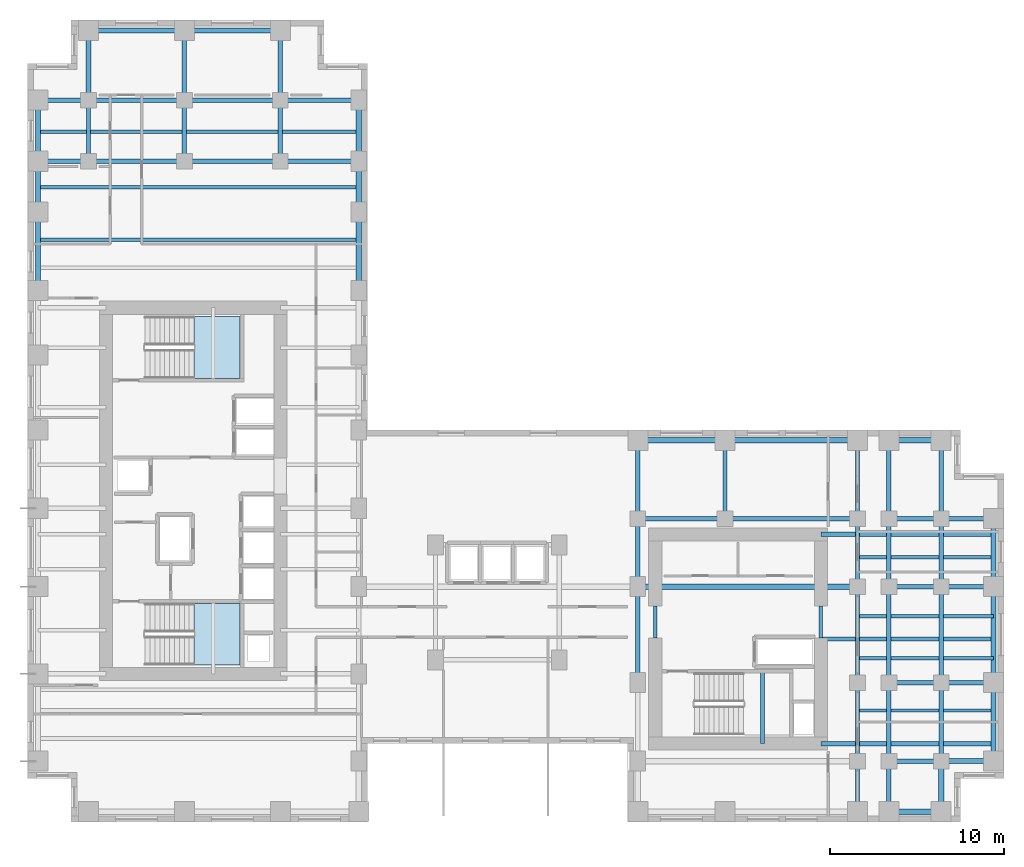
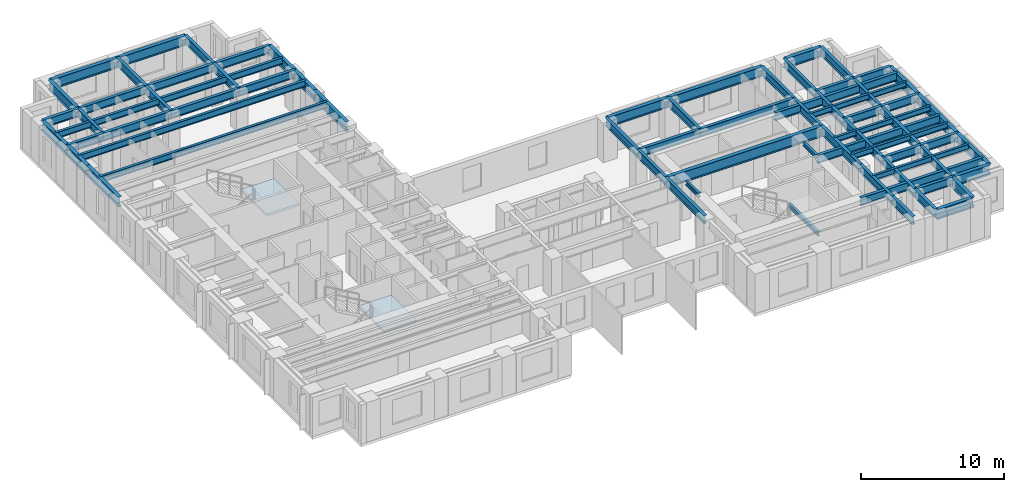
# One storey, part 2 of 11: 72 beams, 2 slabs, 2 elements without a shape of their own.
"""IFC4 building model written with IfcOpenShell, lengths in metres."""

from ifc_helpers import new_model, si_unit, direction, frame, origin, origin_2d, place, context, subcontext, project, spatial, polyline, i_section, outline, extrude, source, transform, mapped, material, layer, layer_set, material_profile, profile_set, type_object, element, aggregate, save


model = new_model("IFC4")

# Units and contexts
model_context = context("Model", 3, precision=1e-05, world=origin(), true_north=direction((0.0, 1.0)))
body_context = subcontext(model_context, "Body", "Model", "MODEL_VIEW")
ifc_project = project(units=[si_unit("LENGTHUNIT", "METRE"), si_unit("AREAUNIT", "SQUARE_METRE"), si_unit("VOLUMEUNIT", "CUBIC_METRE"), si_unit("PLANEANGLEUNIT", "RADIAN"), si_unit("MASSUNIT", "GRAM", prefix="KILO")], contexts=[model_context])

# Site, building, storey
site_placement = place(None, origin())
site = spatial("IfcSite", under=ifc_project, at=site_placement, CompositionType="ELEMENT")
building_placement = place(site_placement, origin())
building = spatial("IfcBuilding", under=site, at=building_placement, Name="Kharzan Plaza Tower", CompositionType="ELEMENT")
storey_placement = place(building_placement, frame((0.0, 0.0, 84.60009765625)))
storey = spatial("IfcBuildingStorey", under=building, at=storey_placement, Name="L22", CompositionType="ELEMENT", Elevation=84.60009765625)

# Beams
ifc_material_1 = material(Name="Steel S355", Category="steel")
ifc_material_profile_1 = material_profile(ifc_material_1, i_section(OverallWidth=0.205078125, OverallDepth=0.35400390625, WebThickness=0.009521484375, FlangeThickness=0.016845703125, at=origin_2d()), Name="W360x79")
ifc_profile_set_1 = profile_set([ifc_material_profile_1], Name="Steel S355")
beam_type_1 = type_object("IfcBeamType", Name="BM-LNT360", PredefinedType="LINTEL", material=ifc_profile_set_1)
shared_shape_1 = source(origin(), body_context, "Body", "SweptSolid", [
    extrude(i_section(OverallWidth=0.205078125, OverallDepth=0.35400390625, WebThickness=0.009521484375, FlangeThickness=0.016845703125, at=origin_2d()), origin(), (0.0, 0.0, 1.0), 1.849853515625),
])
for number, where, z_axis, x_axis, name in (
    (1, (45.5, 10.550048828125, 3.202880859375), (0.0, 1.0, 0.0), (-1.0, 0.0, 0.0), "L22 CORE-B coupling lintel LN1-WE"),
    (2, (36.0, 10.550048828125, 3.202880859375), (0.0, 1.0, 0.0), (-1.0, 0.0, 0.0), "L22 CORE-B coupling lintel LN1-WW"),
):
    element("IfcBeam", number, at=place(storey_placement, frame(where, z_axis=z_axis, x_axis=x_axis)), inside=storey, type_object=beam_type_1, Name=name, PredefinedType="LINTEL", context=body_context, shape_type="MappedRepresentation", body=[
        mapped(shared_shape_1, transform((0.0, 0.0, 0.0), x_axis=(1.0, 0.0, 0.0), y_axis=(0.0, 1.0, 0.0), z_axis=(0.0, 0.0, 1.0))),
    ])
shared_shape_2 = source(origin(), body_context, "Body", "SweptSolid", [
    extrude(i_section(OverallWidth=0.205078125, OverallDepth=0.35400390625, WebThickness=0.009521484375, FlangeThickness=0.016845703125, at=origin_2d()), origin(), (0.0, 0.0, 1.0), 4.155029296875),
])
beam_1_placement = place(storey_placement, frame((42.14990234375, 4.5, 1.4228515625), z_axis=(0.0, 1.0, 0.0), x_axis=(-1.0, 0.0, 0.0)))
element("IfcBeam", 3, at=beam_1_placement, inside=storey, type_object=beam_type_1, Name="L22 Stair ST-3 Half-Landing Beam", PredefinedType="LINTEL", context=body_context, shape_type="MappedRepresentation", body=[
    mapped(shared_shape_2, transform((0.0, 0.0, 0.0), x_axis=(1.0, 0.0, 0.0), y_axis=(0.0, 1.0, 0.0), z_axis=(0.0, 0.0, 1.0))),
])
ifc_material_profile_2 = material_profile(ifc_material_1, i_section(OverallWidth=0.304931640625, OverallDepth=0.9189453125, WebThickness=0.017333984375, FlangeThickness=0.02783203125, at=origin_2d()), Name="W920x253")
ifc_profile_set_2 = profile_set([ifc_material_profile_2], Name="Steel S355")
beam_type_2 = type_object("IfcBeamType", Name="BM-FG920B", PredefinedType="BEAM", material=ifc_profile_set_2)
shared_shape_3 = source(origin(), body_context, "Body", "SweptSolid", [
    extrude(i_section(OverallWidth=0.304931640625, OverallDepth=0.9189453125, WebThickness=0.017333984375, FlangeThickness=0.02783203125, at=origin_2d()), origin(), (0.0, 0.0, 1.0), 12.60009765625),
])
beam_2_placement = place(storey_placement, frame((35.0, 13.5, 2.92041015625), z_axis=(1.0, 0.0, 0.0), x_axis=(0.0, 1.0, 0.0)))
element("IfcBeam", 4, at=beam_2_placement, inside=storey, type_object=beam_type_2, Name="L22 Primary Floor Girder", PredefinedType="BEAM", context=body_context, shape_type="MappedRepresentation", body=[
    mapped(shared_shape_3, transform((0.0, 0.0, 0.0), x_axis=(1.0, 0.0, 0.0), y_axis=(0.0, 1.0, 0.0), z_axis=(0.0, 0.0, 1.0))),
])
ifc_material_profile_3 = material_profile(ifc_material_1, i_section(OverallWidth=0.2099609375, OverallDepth=0.537109375, WebThickness=0.010986328125, FlangeThickness=0.017333984375, at=origin_2d()), Name="W530x101")
ifc_profile_set_3 = profile_set([ifc_material_profile_3], Name="Steel S355")
beam_type_3 = type_object("IfcBeamType", Name="BM-JST530B", PredefinedType="JOIST", material=ifc_profile_set_3)
shared_shape_4 = source(origin(), body_context, "Body", "SweptSolid", [
    extrude(i_section(OverallWidth=0.2099609375, OverallDepth=0.537109375, WebThickness=0.010986328125, FlangeThickness=0.017333984375, at=origin_2d()), origin(), (0.0, 0.0, 1.0), 18.39990234375),
])
for number, where, z_axis, x_axis, name in (
    (5, (0.60009765625, 33.39990234375, 3.111328125), (1.0, 0.0, 0.0), (0.0, 1.0, 0.0), "L22 Wing A Composite Joist 05"),
    (6, (0.60009765625, 36.39990234375, 3.111328125), (1.0, 0.0, 0.0), (0.0, 1.0, 0.0), "L22 Wing A Composite Joist 06"),
    (7, (0.60009765625, 39.60009765625, 3.111328125), (1.0, 0.0, 0.0), (0.0, 1.0, 0.0), "L22 Wing A Composite Joist 07"),
):
    element("IfcBeam", number, at=place(storey_placement, frame(where, z_axis=z_axis, x_axis=x_axis)), inside=storey, type_object=beam_type_3, Name=name, PredefinedType="JOIST", context=body_context, shape_type="MappedRepresentation", body=[
        mapped(shared_shape_4, transform((0.0, 0.0, 0.0), x_axis=(1.0, 0.0, 0.0), y_axis=(0.0, 1.0, 0.0), z_axis=(0.0, 0.0, 1.0))),
    ])
ifc_material_profile_4 = material_profile(ifc_material_1, i_section(OverallWidth=0.25390625, OverallDepth=0.68798828125, WebThickness=0.01318359375, FlangeThickness=0.02099609375, at=origin_2d()), Name="W690x152")
ifc_profile_set_4 = profile_set([ifc_material_profile_4], Name="Steel S355")
beam_type_4 = type_object("IfcBeamType", Name="BM-FG690B", PredefinedType="BEAM", material=ifc_profile_set_4)
shared_shape_5 = source(origin(), body_context, "Body", "SweptSolid", [
    extrude(i_section(OverallWidth=0.25390625, OverallDepth=0.68798828125, WebThickness=0.01318359375, FlangeThickness=0.02099609375, at=origin_2d()), origin(), (0.0, 0.0, 1.0), 4.5),
])
for number, where, z_axis, x_axis, name in (
    (8, (35.0, 17.39990234375, 3.035888671875), (0.0, 1.0, 0.0), (-1.0, 0.0, 0.0), "L22 Interior Frame Girder"),
    (9, (40.0, 17.39990234375, 3.035888671875), (0.0, 1.0, 0.0), (-1.0, 0.0, 0.0), "L22 Interior Frame Girder"),
    (10, (47.60009765625, 3.5, 3.035888671875), (0.0, 1.0, 0.0), (-1.0, 0.0, 0.0), "L22 Interior Frame Girder"),
    (11, (47.60009765625, 17.39990234375, 3.035888671875), (0.0, 1.0, 0.0), (-1.0, 0.0, 0.0), "L22 Interior Frame Girder"),
    (12, (49.39990234375, 3.5, 3.035888671875), (0.0, 1.0, 0.0), (-1.0, 0.0, 0.0), "L22 Interior Frame Girder"),
    (13, (49.39990234375, 17.39990234375, 3.035888671875), (0.0, 1.0, 0.0), (-1.0, 0.0, 0.0), "L22 Interior Frame Girder"),
    (14, (52.39990234375, 3.5, 3.035888671875), (0.0, 1.0, 0.0), (-1.0, 0.0, 0.0), "L22 Interior Frame Girder"),
    (15, (52.39990234375, 17.39990234375, 3.035888671875), (0.0, 1.0, 0.0), (-1.0, 0.0, 0.0), "L22 Interior Frame Girder"),
    (16, (14.5, 37.89990234375, 3.035888671875), (1.0, 0.0, 0.0), (0.0, 1.0, 0.0), "L22 Primary Floor Girder"),
    (17, (14.5, 41.39990234375, 3.035888671875), (1.0, 0.0, 0.0), (0.0, 1.0, 0.0), "L22 Primary Floor Girder"),
):
    element("IfcBeam", number, at=place(storey_placement, frame(where, z_axis=z_axis, x_axis=x_axis)), inside=storey, type_object=beam_type_4, Name=name, PredefinedType="BEAM", context=body_context, shape_type="MappedRepresentation", body=[
        mapped(shared_shape_5, transform((0.0, 0.0, 0.0), x_axis=(1.0, 0.0, 0.0), y_axis=(0.0, 1.0, 0.0), z_axis=(0.0, 0.0, 1.0))),
    ])
shared_shape_6 = source(origin(), body_context, "Body", "SweptSolid", [
    extrude(i_section(OverallWidth=0.25390625, OverallDepth=0.68798828125, WebThickness=0.01318359375, FlangeThickness=0.02099609375, at=origin_2d()), origin(), (0.0, 0.0, 1.0), 3.89990234375),
])
for number, where, z_axis, x_axis, name in (
    (18, (35.0, 13.5, 3.035888671875), (0.0, 1.0, 0.0), (-1.0, 0.0, 0.0), "L22 Interior Frame Girder"),
    (19, (47.60009765625, 13.5, 3.035888671875), (0.0, 1.0, 0.0), (-1.0, 0.0, 0.0), "L22 Interior Frame Girder"),
    (20, (49.39990234375, 13.5, 3.035888671875), (0.0, 1.0, 0.0), (-1.0, 0.0, 0.0), "L22 Interior Frame Girder"),
    (21, (52.39990234375, 13.5, 3.035888671875), (0.0, 1.0, 0.0), (-1.0, 0.0, 0.0), "L22 Interior Frame Girder"),
):
    element("IfcBeam", number, at=place(storey_placement, frame(where, z_axis=z_axis, x_axis=x_axis)), inside=storey, type_object=beam_type_4, Name=name, PredefinedType="BEAM", context=body_context, shape_type="MappedRepresentation", body=[
        mapped(shared_shape_6, transform((0.0, 0.0, 0.0), x_axis=(1.0, 0.0, 0.0), y_axis=(0.0, 1.0, 0.0), z_axis=(0.0, 0.0, 1.0))),
    ])
shared_shape_7 = source(origin(), body_context, "Body", "SweptSolid", [
    extrude(i_section(OverallWidth=0.25390625, OverallDepth=0.68798828125, WebThickness=0.01318359375, FlangeThickness=0.02099609375, at=origin_2d()), origin(), (0.0, 0.0, 1.0), 9.89990234375),
])
for number, where, z_axis, x_axis, name in (
    (22, (45.5, 4.5, 3.035888671875), (1.0, 0.0, 0.0), (0.0, 1.0, 0.0), "L22 Core-B East Floor Girder 1"),
    (23, (45.5, 10.5, 3.035888671875), (1.0, 0.0, 0.0), (0.0, 1.0, 0.0), "L22 Core-B East Floor Girder 2"),
    (24, (45.5, 16.5, 3.035888671875), (1.0, 0.0, 0.0), (0.0, 1.0, 0.0), "L22 Core-B East Floor Girder 3"),
):
    element("IfcBeam", number, at=place(storey_placement, frame(where, z_axis=z_axis, x_axis=x_axis)), inside=storey, type_object=beam_type_4, Name=name, PredefinedType="BEAM", context=body_context, shape_type="MappedRepresentation", body=[
        mapped(shared_shape_7, transform((0.0, 0.0, 0.0), x_axis=(1.0, 0.0, 0.0), y_axis=(0.0, 1.0, 0.0), z_axis=(0.0, 0.0, 1.0))),
    ])
shared_shape_8 = source(origin(), body_context, "Body", "SweptSolid", [
    extrude(i_section(OverallWidth=0.25390625, OverallDepth=0.68798828125, WebThickness=0.01318359375, FlangeThickness=0.02099609375, at=origin_2d()), origin(), (0.0, 0.0, 1.0), 3.5),
])
for number, where, z_axis, x_axis, name in (
    (25, (3.5, 37.89990234375, 3.035888671875), (0.0, 1.0, 0.0), (-1.0, 0.0, 0.0), "L22 Interior Frame Girder"),
    (26, (9.0, 37.89990234375, 3.035888671875), (0.0, 1.0, 0.0), (-1.0, 0.0, 0.0), "L22 Interior Frame Girder"),
    (27, (14.5, 37.89990234375, 3.035888671875), (0.0, 1.0, 0.0), (-1.0, 0.0, 0.0), "L22 Interior Frame Girder"),
):
    element("IfcBeam", number, at=place(storey_placement, frame(where, z_axis=z_axis, x_axis=x_axis)), inside=storey, type_object=beam_type_4, Name=name, PredefinedType="BEAM", context=body_context, shape_type="MappedRepresentation", body=[
        mapped(shared_shape_8, transform((0.0, 0.0, 0.0), x_axis=(1.0, 0.0, 0.0), y_axis=(0.0, 1.0, 0.0), z_axis=(0.0, 0.0, 1.0))),
    ])
shared_shape_9 = source(origin(), body_context, "Body", "SweptSolid", [
    extrude(i_section(OverallWidth=0.25390625, OverallDepth=0.68798828125, WebThickness=0.01318359375, FlangeThickness=0.02099609375, at=origin_2d()), origin(), (0.0, 0.0, 1.0), 4.0),
])
for number, where, z_axis, x_axis, name in (
    (28, (9.0, 41.39990234375, 3.035888671875), (0.0, 1.0, 0.0), (-1.0, 0.0, 0.0), "L22 Interior Frame Girder"),
    (29, (14.5, 41.39990234375, 3.035888671875), (0.0, 1.0, 0.0), (-1.0, 0.0, 0.0), "L22 Interior Frame Girder"),
):
    element("IfcBeam", number, at=place(storey_placement, frame(where, z_axis=z_axis, x_axis=x_axis)), inside=storey, type_object=beam_type_4, Name=name, PredefinedType="BEAM", context=body_context, shape_type="MappedRepresentation", body=[
        mapped(shared_shape_9, transform((0.0, 0.0, 0.0), x_axis=(1.0, 0.0, 0.0), y_axis=(0.0, 1.0, 0.0), z_axis=(0.0, 0.0, 1.0))),
    ])
shared_shape_10 = source(origin(), body_context, "Body", "SweptSolid", [
    extrude(i_section(OverallWidth=0.25390625, OverallDepth=0.68798828125, WebThickness=0.01318359375, FlangeThickness=0.02099609375, at=origin_2d()), origin(), (0.0, 0.0, 1.0), 5.0),
])
beam_3_placement = place(storey_placement, frame((35.0, 17.39990234375, 3.035888671875), z_axis=(1.0, 0.0, 0.0), x_axis=(0.0, 1.0, 0.0)))
element("IfcBeam", 30, at=beam_3_placement, inside=storey, type_object=beam_type_4, Name="L22 Primary Floor Girder", PredefinedType="BEAM", context=body_context, shape_type="MappedRepresentation", body=[
    mapped(shared_shape_10, transform((0.0, 0.0, 0.0), x_axis=(1.0, 0.0, 0.0), y_axis=(0.0, 1.0, 0.0), z_axis=(0.0, 0.0, 1.0))),
])
shared_shape_11 = source(origin(), body_context, "Body", "SweptSolid", [
    extrude(i_section(OverallWidth=0.25390625, OverallDepth=0.68798828125, WebThickness=0.01318359375, FlangeThickness=0.02099609375, at=origin_2d()), origin(), (0.0, 0.0, 1.0), 5.5),
])
for number, where, z_axis, x_axis, name in (
    (31, (35.0, 8.0, 3.035888671875), (0.0, 1.0, 0.0), (-1.0, 0.0, 0.0), "L22 Interior Frame Girder"),
    (32, (47.60009765625, 8.0, 3.035888671875), (0.0, 1.0, 0.0), (-1.0, 0.0, 0.0), "L22 Interior Frame Girder"),
    (33, (49.39990234375, 8.0, 3.035888671875), (0.0, 1.0, 0.0), (-1.0, 0.0, 0.0), "L22 Interior Frame Girder"),
    (34, (52.39990234375, 8.0, 3.035888671875), (0.0, 1.0, 0.0), (-1.0, 0.0, 0.0), "L22 Interior Frame Girder"),
    (35, (3.5, 37.89990234375, 3.035888671875), (1.0, 0.0, 0.0), (0.0, 1.0, 0.0), "L22 Primary Floor Girder"),
    (36, (9.0, 37.89990234375, 3.035888671875), (1.0, 0.0, 0.0), (0.0, 1.0, 0.0), "L22 Primary Floor Girder"),
    (37, (3.5, 41.39990234375, 3.035888671875), (1.0, 0.0, 0.0), (0.0, 1.0, 0.0), "L22 Primary Floor Girder"),
    (38, (9.0, 41.39990234375, 3.035888671875), (1.0, 0.0, 0.0), (0.0, 1.0, 0.0), "L22 Primary Floor Girder"),
):
    element("IfcBeam", number, at=place(storey_placement, frame(where, z_axis=z_axis, x_axis=x_axis)), inside=storey, type_object=beam_type_4, Name=name, PredefinedType="BEAM", context=body_context, shape_type="MappedRepresentation", body=[
        mapped(shared_shape_11, transform((0.0, 0.0, 0.0), x_axis=(1.0, 0.0, 0.0), y_axis=(0.0, 1.0, 0.0), z_axis=(0.0, 0.0, 1.0))),
    ])
shared_shape_12 = source(origin(), body_context, "Body", "SweptSolid", [
    extrude(i_section(OverallWidth=0.25390625, OverallDepth=0.68798828125, WebThickness=0.01318359375, FlangeThickness=0.02099609375, at=origin_2d()), origin(), (0.0, 0.0, 1.0), 2.89990234375),
])
for number, where, z_axis, x_axis, name in (
    (39, (47.60009765625, 0.60009765625, 3.035888671875), (0.0, 1.0, 0.0), (-1.0, 0.0, 0.0), "L22 Interior Frame Girder"),
    (40, (49.39990234375, 0.60009765625, 3.035888671875), (0.0, 1.0, 0.0), (-1.0, 0.0, 0.0), "L22 Interior Frame Girder"),
    (41, (0.60009765625, 37.89990234375, 3.035888671875), (1.0, 0.0, 0.0), (0.0, 1.0, 0.0), "L22 Primary Floor Girder"),
    (42, (0.60009765625, 41.39990234375, 3.035888671875), (1.0, 0.0, 0.0), (0.0, 1.0, 0.0), "L22 Primary Floor Girder"),
):
    element("IfcBeam", number, at=place(storey_placement, frame(where, z_axis=z_axis, x_axis=x_axis)), inside=storey, type_object=beam_type_4, Name=name, PredefinedType="BEAM", context=body_context, shape_type="MappedRepresentation", body=[
        mapped(shared_shape_12, transform((0.0, 0.0, 0.0), x_axis=(1.0, 0.0, 0.0), y_axis=(0.0, 1.0, 0.0), z_axis=(0.0, 0.0, 1.0))),
    ])
shared_shape_13 = source(origin(), body_context, "Body", "SweptSolid", [
    extrude(i_section(OverallWidth=0.25390625, OverallDepth=0.68798828125, WebThickness=0.01318359375, FlangeThickness=0.02099609375, at=origin_2d()), origin(), (0.0, 0.0, 1.0), 3.0),
])
for number, where, z_axis, x_axis, name in (
    (43, (49.39990234375, 3.5, 3.035888671875), (1.0, 0.0, 0.0), (0.0, 1.0, 0.0), "L22 Primary Floor Girder"),
    (44, (49.39990234375, 8.0, 3.035888671875), (1.0, 0.0, 0.0), (0.0, 1.0, 0.0), "L22 Primary Floor Girder"),
    (45, (52.39990234375, 8.0, 3.035888671875), (1.0, 0.0, 0.0), (0.0, 1.0, 0.0), "L22 Primary Floor Girder"),
    (46, (49.39990234375, 13.5, 3.035888671875), (1.0, 0.0, 0.0), (0.0, 1.0, 0.0), "L22 Primary Floor Girder"),
    (47, (52.39990234375, 13.5, 3.035888671875), (1.0, 0.0, 0.0), (0.0, 1.0, 0.0), "L22 Primary Floor Girder"),
    (48, (49.39990234375, 17.39990234375, 3.035888671875), (1.0, 0.0, 0.0), (0.0, 1.0, 0.0), "L22 Primary Floor Girder"),
    (49, (52.39990234375, 17.39990234375, 3.035888671875), (1.0, 0.0, 0.0), (0.0, 1.0, 0.0), "L22 Primary Floor Girder"),
):
    element("IfcBeam", number, at=place(storey_placement, frame(where, z_axis=z_axis, x_axis=x_axis)), inside=storey, type_object=beam_type_4, Name=name, PredefinedType="BEAM", context=body_context, shape_type="MappedRepresentation", body=[
        mapped(shared_shape_13, transform((0.0, 0.0, 0.0), x_axis=(1.0, 0.0, 0.0), y_axis=(0.0, 1.0, 0.0), z_axis=(0.0, 0.0, 1.0))),
    ])
shared_shape_14 = source(origin(), body_context, "Body", "SweptSolid", [
    extrude(i_section(OverallWidth=0.25390625, OverallDepth=0.68798828125, WebThickness=0.01318359375, FlangeThickness=0.02099609375, at=origin_2d()), origin(), (0.0, 0.0, 1.0), 7.60009765625),
])
beam_4_placement = place(storey_placement, frame((40.0, 17.39990234375, 3.035888671875), z_axis=(1.0, 0.0, 0.0), x_axis=(0.0, 1.0, 0.0)))
element("IfcBeam", 50, at=beam_4_placement, inside=storey, type_object=beam_type_4, Name="L22 Primary Floor Girder", PredefinedType="BEAM", context=body_context, shape_type="MappedRepresentation", body=[
    mapped(shared_shape_14, transform((0.0, 0.0, 0.0), x_axis=(1.0, 0.0, 0.0), y_axis=(0.0, 1.0, 0.0), z_axis=(0.0, 0.0, 1.0))),
])
ifc_material_profile_5 = material_profile(ifc_material_1, i_section(OverallWidth=0.194091796875, OverallDepth=0.468994140625, WebThickness=0.011474609375, FlangeThickness=0.0205078125, at=origin_2d()), Name="W460x106")
ifc_profile_set_5 = profile_set([ifc_material_profile_5], Name="Steel S355")
beam_type_5 = type_object("IfcBeamType", Name="BM-JST460", PredefinedType="JOIST", material=ifc_profile_set_5)
shared_shape_15 = source(origin(), body_context, "Body", "SweptSolid", [
    extrude(i_section(OverallWidth=0.194091796875, OverallDepth=0.468994140625, WebThickness=0.011474609375, FlangeThickness=0.0205078125, at=origin_2d()), origin(), (0.0, 0.0, 1.0), 7.7998046875),
])
for number, where, z_axis, x_axis, name in (
    (51, (47.60009765625, 6.39990234375, 3.1455078125), (1.0, 0.0, 0.0), (0.0, 1.0, 0.0), "L22 Wing B Composite Joist 02"),
    (52, (47.60009765625, 9.39990234375, 3.1455078125), (1.0, 0.0, 0.0), (0.0, 1.0, 0.0), "L22 Wing B Composite Joist 03"),
    (53, (47.60009765625, 11.800048828125, 3.1455078125), (1.0, 0.0, 0.0), (0.0, 1.0, 0.0), "L22 Wing B Composite Joist 04"),
    (54, (47.60009765625, 15.199951171875, 3.1455078125), (1.0, 0.0, 0.0), (0.0, 1.0, 0.0), "L22 Wing B Composite Joist 05"),
):
    element("IfcBeam", number, at=place(storey_placement, frame(where, z_axis=z_axis, x_axis=x_axis)), inside=storey, type_object=beam_type_5, Name=name, PredefinedType="JOIST", context=body_context, shape_type="MappedRepresentation", body=[
        mapped(shared_shape_15, transform((0.0, 0.0, 0.0), x_axis=(1.0, 0.0, 0.0), y_axis=(0.0, 1.0, 0.0), z_axis=(0.0, 0.0, 1.0))),
    ])
ifc_material_profile_6 = material_profile(ifc_material_1, i_section(OverallWidth=0.299072265625, OverallDepth=0.845947265625, WebThickness=0.015380859375, FlangeThickness=0.0244140625, at=origin_2d()), Name="W840x210")
ifc_profile_set_6 = profile_set([ifc_material_profile_6], Name="Steel S355")
beam_type_6 = type_object("IfcBeamType", Name="BM-SP840B", PredefinedType="SPANDREL", material=ifc_profile_set_6)
shared_shape_16 = source(origin(), body_context, "Body", "SweptSolid", [
    extrude(i_section(OverallWidth=0.299072265625, OverallDepth=0.845947265625, WebThickness=0.015380859375, FlangeThickness=0.0244140625, at=origin_2d()), origin(), (0.0, 0.0, 1.0), 5.0),
])
beam_5_placement = place(storey_placement, frame((35.0, 21.89990234375, 2.956787109375), z_axis=(1.0, 0.0, 0.0), x_axis=(0.0, 1.0, 0.0)))
element("IfcBeam", 55, at=beam_5_placement, inside=storey, type_object=beam_type_6, Name="L22 Perimeter Tube Spandrel", PredefinedType="SPANDREL", context=body_context, shape_type="MappedRepresentation", body=[
    mapped(shared_shape_16, transform((0.0, 0.0, 0.0), x_axis=(1.0, 0.0, 0.0), y_axis=(0.0, 1.0, 0.0), z_axis=(0.0, 0.0, 1.0))),
])
shared_shape_17 = source(origin(), body_context, "Body", "SweptSolid", [
    extrude(i_section(OverallWidth=0.299072265625, OverallDepth=0.845947265625, WebThickness=0.015380859375, FlangeThickness=0.0244140625, at=origin_2d()), origin(), (0.0, 0.0, 1.0), 4.5),
])
for number, where, z_axis, x_axis, name in (
    (56, (0.60009765625, 30.5, 2.956787109375), (0.0, 1.0, 0.0), (-1.0, 0.0, 0.0), "L22 Perimeter Tube Spandrel"),
    (57, (19.0, 30.5, 2.956787109375), (0.0, 1.0, 0.0), (-1.0, 0.0, 0.0), "L22 Perimeter Tube Spandrel"),
    (58, (55.39990234375, 3.5, 2.956787109375), (0.0, 1.0, 0.0), (-1.0, 0.0, 0.0), "L22 Perimeter Tube Spandrel"),
):
    element("IfcBeam", number, at=place(storey_placement, frame(where, z_axis=z_axis, x_axis=x_axis)), inside=storey, type_object=beam_type_6, Name=name, PredefinedType="SPANDREL", context=body_context, shape_type="MappedRepresentation", body=[
        mapped(shared_shape_17, transform((0.0, 0.0, 0.0), x_axis=(1.0, 0.0, 0.0), y_axis=(0.0, 1.0, 0.0), z_axis=(0.0, 0.0, 1.0))),
    ])
shared_shape_18 = source(origin(), body_context, "Body", "SweptSolid", [
    extrude(i_section(OverallWidth=0.299072265625, OverallDepth=0.845947265625, WebThickness=0.015380859375, FlangeThickness=0.0244140625, at=origin_2d()), origin(), (0.0, 0.0, 1.0), 2.89990234375),
])
for number, where, z_axis, x_axis, name in (
    (59, (0.60009765625, 35.0, 2.956787109375), (0.0, 1.0, 0.0), (-1.0, 0.0, 0.0), "L22 Perimeter Tube Spandrel"),
    (60, (19.0, 35.0, 2.956787109375), (0.0, 1.0, 0.0), (-1.0, 0.0, 0.0), "L22 Perimeter Tube Spandrel"),
    (61, (52.39990234375, 0.60009765625, 2.956787109375), (0.0, 1.0, 0.0), (-1.0, 0.0, 0.0), "L22 Perimeter Tube Spandrel"),
):
    element("IfcBeam", number, at=place(storey_placement, frame(where, z_axis=z_axis, x_axis=x_axis)), inside=storey, type_object=beam_type_6, Name=name, PredefinedType="SPANDREL", context=body_context, shape_type="MappedRepresentation", body=[
        mapped(shared_shape_18, transform((0.0, 0.0, 0.0), x_axis=(1.0, 0.0, 0.0), y_axis=(0.0, 1.0, 0.0), z_axis=(0.0, 0.0, 1.0))),
    ])
shared_shape_19 = source(origin(), body_context, "Body", "SweptSolid", [
    extrude(i_section(OverallWidth=0.299072265625, OverallDepth=0.845947265625, WebThickness=0.015380859375, FlangeThickness=0.0244140625, at=origin_2d()), origin(), (0.0, 0.0, 1.0), 3.5),
])
for number, where, z_axis, x_axis, name in (
    (62, (0.60009765625, 37.89990234375, 2.956787109375), (0.0, 1.0, 0.0), (-1.0, 0.0, 0.0), "L22 Perimeter Tube Spandrel"),
    (63, (19.0, 37.89990234375, 2.956787109375), (0.0, 1.0, 0.0), (-1.0, 0.0, 0.0), "L22 Perimeter Tube Spandrel"),
):
    element("IfcBeam", number, at=place(storey_placement, frame(where, z_axis=z_axis, x_axis=x_axis)), inside=storey, type_object=beam_type_6, Name=name, PredefinedType="SPANDREL", context=body_context, shape_type="MappedRepresentation", body=[
        mapped(shared_shape_19, transform((0.0, 0.0, 0.0), x_axis=(1.0, 0.0, 0.0), y_axis=(0.0, 1.0, 0.0), z_axis=(0.0, 0.0, 1.0))),
    ])
shared_shape_20 = source(origin(), body_context, "Body", "SweptSolid", [
    extrude(i_section(OverallWidth=0.299072265625, OverallDepth=0.845947265625, WebThickness=0.015380859375, FlangeThickness=0.0244140625, at=origin_2d()), origin(), (0.0, 0.0, 1.0), 4.0),
])
beam_6_placement = place(storey_placement, frame((3.5, 41.39990234375, 2.956787109375), z_axis=(0.0, 1.0, 0.0), x_axis=(-1.0, 0.0, 0.0)))
element("IfcBeam", 64, at=beam_6_placement, inside=storey, type_object=beam_type_6, Name="L22 Perimeter Tube Spandrel", PredefinedType="SPANDREL", context=body_context, shape_type="MappedRepresentation", body=[
    mapped(shared_shape_20, transform((0.0, 0.0, 0.0), x_axis=(1.0, 0.0, 0.0), y_axis=(0.0, 1.0, 0.0), z_axis=(0.0, 0.0, 1.0))),
])
shared_shape_21 = source(origin(), body_context, "Body", "SweptSolid", [
    extrude(i_section(OverallWidth=0.299072265625, OverallDepth=0.845947265625, WebThickness=0.015380859375, FlangeThickness=0.0244140625, at=origin_2d()), origin(), (0.0, 0.0, 1.0), 5.5),
])
for number, where, z_axis, x_axis, name in (
    (65, (55.39990234375, 8.0, 2.956787109375), (0.0, 1.0, 0.0), (-1.0, 0.0, 0.0), "L22 Perimeter Tube Spandrel"),
    (66, (3.5, 45.39990234375, 2.956787109375), (1.0, 0.0, 0.0), (0.0, 1.0, 0.0), "L22 Perimeter Tube Spandrel"),
    (67, (9.0, 45.39990234375, 2.956787109375), (1.0, 0.0, 0.0), (0.0, 1.0, 0.0), "L22 Perimeter Tube Spandrel"),
):
    element("IfcBeam", number, at=place(storey_placement, frame(where, z_axis=z_axis, x_axis=x_axis)), inside=storey, type_object=beam_type_6, Name=name, PredefinedType="SPANDREL", context=body_context, shape_type="MappedRepresentation", body=[
        mapped(shared_shape_21, transform((0.0, 0.0, 0.0), x_axis=(1.0, 0.0, 0.0), y_axis=(0.0, 1.0, 0.0), z_axis=(0.0, 0.0, 1.0))),
    ])
shared_shape_22 = source(origin(), body_context, "Body", "SweptSolid", [
    extrude(i_section(OverallWidth=0.299072265625, OverallDepth=0.845947265625, WebThickness=0.015380859375, FlangeThickness=0.0244140625, at=origin_2d()), origin(), (0.0, 0.0, 1.0), 3.89990234375),
])
beam_7_placement = place(storey_placement, frame((55.39990234375, 13.5, 2.956787109375), z_axis=(0.0, 1.0, 0.0), x_axis=(-1.0, 0.0, 0.0)))
element("IfcBeam", 68, at=beam_7_placement, inside=storey, type_object=beam_type_6, Name="L22 Perimeter Tube Spandrel", PredefinedType="SPANDREL", context=body_context, shape_type="MappedRepresentation", body=[
    mapped(shared_shape_22, transform((0.0, 0.0, 0.0), x_axis=(1.0, 0.0, 0.0), y_axis=(0.0, 1.0, 0.0), z_axis=(0.0, 0.0, 1.0))),
])
shared_shape_23 = source(origin(), body_context, "Body", "SweptSolid", [
    extrude(i_section(OverallWidth=0.299072265625, OverallDepth=0.845947265625, WebThickness=0.015380859375, FlangeThickness=0.0244140625, at=origin_2d()), origin(), (0.0, 0.0, 1.0), 7.60009765625),
])
beam_8_placement = place(storey_placement, frame((40.0, 21.89990234375, 2.956787109375), z_axis=(1.0, 0.0, 0.0), x_axis=(0.0, 1.0, 0.0)))
element("IfcBeam", 69, at=beam_8_placement, inside=storey, type_object=beam_type_6, Name="L22 Perimeter Tube Spandrel", PredefinedType="SPANDREL", context=body_context, shape_type="MappedRepresentation", body=[
    mapped(shared_shape_23, transform((0.0, 0.0, 0.0), x_axis=(1.0, 0.0, 0.0), y_axis=(0.0, 1.0, 0.0), z_axis=(0.0, 0.0, 1.0))),
])
shared_shape_24 = source(origin(), body_context, "Body", "SweptSolid", [
    extrude(i_section(OverallWidth=0.299072265625, OverallDepth=0.845947265625, WebThickness=0.015380859375, FlangeThickness=0.0244140625, at=origin_2d()), origin(), (0.0, 0.0, 1.0), 3.0),
])
for number, where, z_axis, x_axis, name in (
    (70, (49.39990234375, 0.60009765625, 2.956787109375), (1.0, 0.0, 0.0), (0.0, 1.0, 0.0), "L22 Perimeter Tube Spandrel"),
    (71, (52.39990234375, 3.5, 2.956787109375), (1.0, 0.0, 0.0), (0.0, 1.0, 0.0), "L22 Perimeter Tube Spandrel"),
    (72, (49.39990234375, 21.89990234375, 2.956787109375), (1.0, 0.0, 0.0), (0.0, 1.0, 0.0), "L22 Perimeter Tube Spandrel"),
):
    element("IfcBeam", number, at=place(storey_placement, frame(where, z_axis=z_axis, x_axis=x_axis)), inside=storey, type_object=beam_type_6, Name=name, PredefinedType="SPANDREL", context=body_context, shape_type="MappedRepresentation", body=[
        mapped(shared_shape_24, transform((0.0, 0.0, 0.0), x_axis=(1.0, 0.0, 0.0), y_axis=(0.0, 1.0, 0.0), z_axis=(0.0, 0.0, 1.0))),
    ])

# Stair, slab
ifc_material_2 = material(Name="Concrete C40/50", Category="concrete")
stair_type_1 = type_object("IfcStairType", Name="STR-ST-1", PredefinedType="HALF_TURN_STAIR", material=ifc_material_2)
stair_1_placement = place(storey_placement, origin())
stair_1 = element("IfcStair", 73, at=stair_1_placement, inside=storey, type_object=stair_type_1, Name="L22 Protected Exit Stair ST-1", PredefinedType="HALF_TURN_STAIR")
ifc_layer = layer(ifc_material_2, 0.219970703125)
ifc_layer_set = layer_set([ifc_layer], Name="Concrete C40/50")
slab_type = type_object("IfcSlabType", Name="SL-LANDING-220", PredefinedType="LANDING", material=ifc_layer_set)
slab_1_placement = place(storey_placement, frame((0.0, 0.0, 1.599853515625)))
slab_1 = element("IfcSlab", 74, at=slab_1_placement, type_object=slab_type, Name="ST-1 landing 1", PredefinedType="LANDING", context=body_context, shape_type="SweptSolid", body=[
    extrude(outline(polyline([(9.550048828125, 9.0), (12.199951171875, 9.0), (12.199951171875, 12.550048828125), (9.550048828125, 12.550048828125), (9.550048828125, 9.0)])), origin(), (0.0, 0.0, 1.0), 0.199951171875),
])
aggregate(stair_1, [slab_1])

stair_type_2 = type_object("IfcStairType", Name="STR-ST-2", PredefinedType="HALF_TURN_STAIR", material=ifc_material_2)
stair_2_placement = place(storey_placement, origin())
stair_2 = element("IfcStair", 75, at=stair_2_placement, inside=storey, type_object=stair_type_2, Name="L22 Protected Exit Stair ST-2", PredefinedType="HALF_TURN_STAIR")
slab_2_placement = place(storey_placement, frame((0.0, 0.0, 1.599853515625)))
slab_2 = element("IfcSlab", 76, at=slab_2_placement, type_object=slab_type, Name="ST-2 landing 1", PredefinedType="LANDING", context=body_context, shape_type="SweptSolid", body=[
    extrude(outline(polyline([(9.550048828125, 25.449951171875), (12.199951171875, 25.449951171875), (12.199951171875, 29.0), (9.550048828125, 29.0), (9.550048828125, 25.449951171875)])), origin(), (0.0, 0.0, 1.0), 0.199951171875),
])
aggregate(stair_2, [slab_2])

save(model, "model.ifc")
